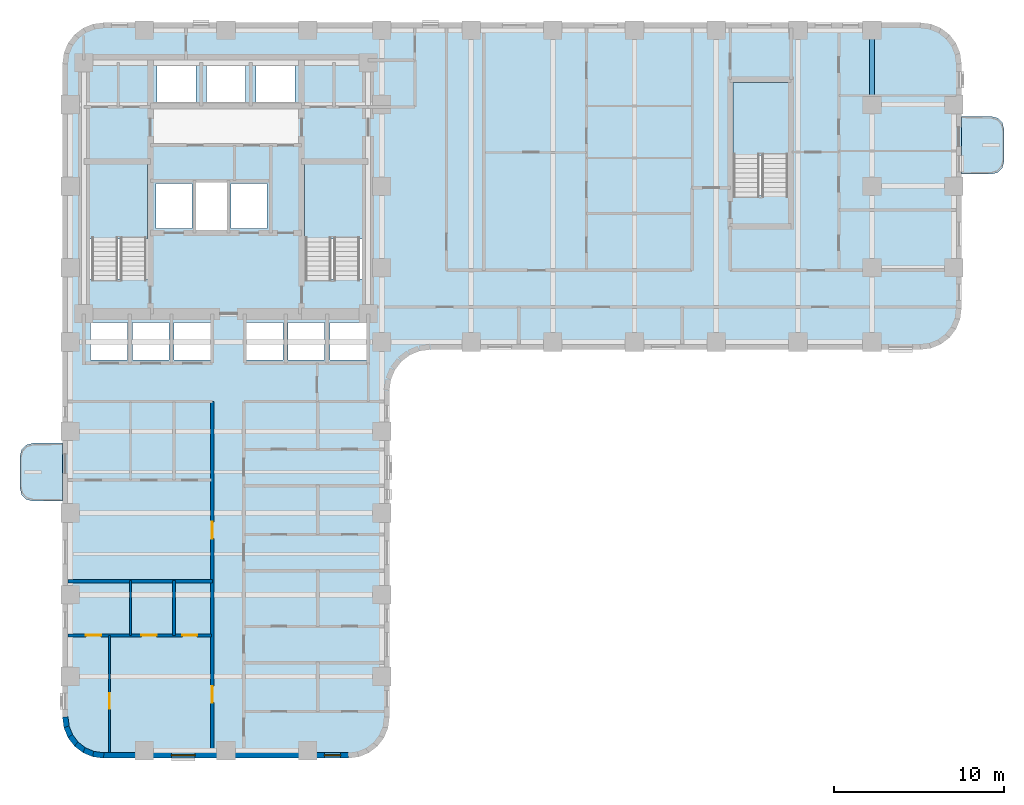
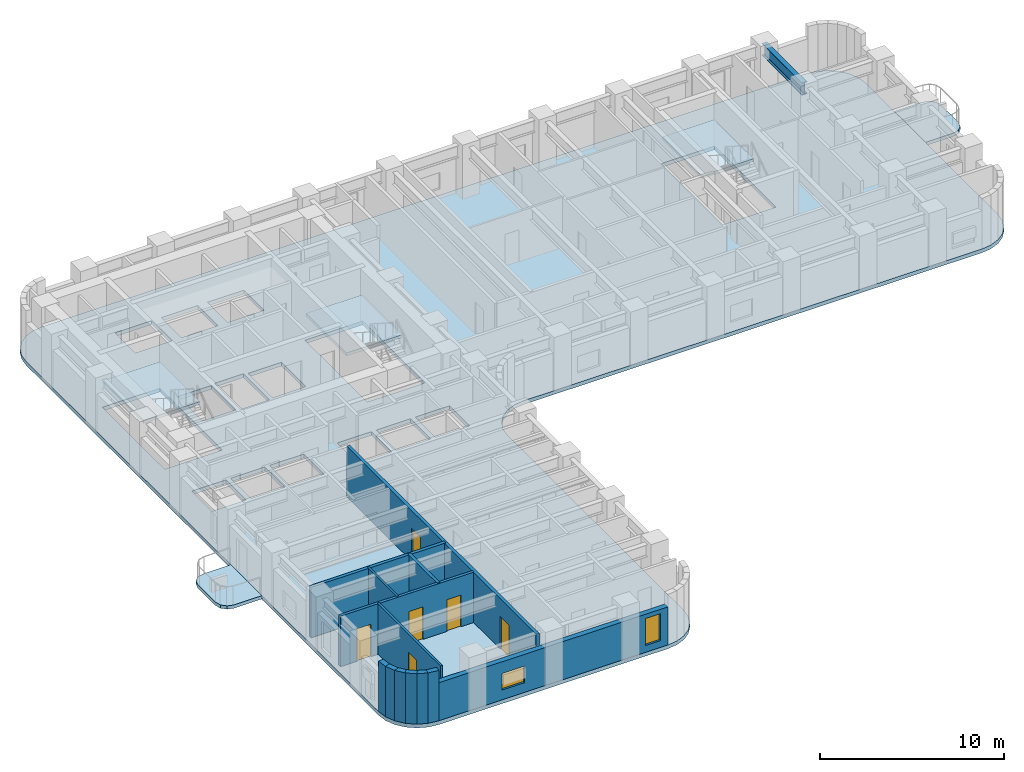
# One storey, part 2 of 12: 13 walls, 6 doors, 6 slabs, 2 windows, 1 beam, 8 openings, 3 elements without a shape of their own.
"""IFC4 building model written with IfcOpenShell, lengths in metres."""

from ifc_helpers import new_model, si_unit, direction, frame, frame_2d, origin, origin_2d, place, context, subcontext, project, spatial, polyline, rectangle, i_section, outline, extrude, material, layer, layer_set, material_profile, profile_set, type_object, element, fill, aggregate, save


model = new_model("IFC4")

# Units and contexts
model_context = context("Model", 3, precision=1e-05, world=origin(), true_north=direction((0.0, 1.0)))
body_context = subcontext(model_context, "Body", "Model", "MODEL_VIEW")
ifc_project = project(units=[si_unit("LENGTHUNIT", "METRE"), si_unit("AREAUNIT", "SQUARE_METRE"), si_unit("VOLUMEUNIT", "CUBIC_METRE"), si_unit("PLANEANGLEUNIT", "RADIAN"), si_unit("MASSUNIT", "GRAM", prefix="KILO")], contexts=[model_context])

# Site, building, storey
site_placement = place(None, origin())
site = spatial("IfcSite", under=ifc_project, at=site_placement, CompositionType="ELEMENT")
building_placement = place(site_placement, origin())
building = spatial("IfcBuilding", under=site, at=building_placement, Name="Orvandelia Arch Residences", CompositionType="ELEMENT")
storey_placement = place(building_placement, frame((0.0, 0.0, 57.39990234375)))
storey = spatial("IfcBuildingStorey", under=building, at=storey_placement, Name="L14", CompositionType="ELEMENT", Elevation=57.39990234375)

# Beam
ifc_material_1 = material(Name="Structural Steel SM355 (355 MPa)", Category="steel")
ifc_material_profile = material_profile(ifc_material_1, i_section(OverallWidth=0.300048828125, OverallDepth=0.800048828125, WebThickness=0.013916015625, FlangeThickness=0.02587890625, FilletRadius=0.02587890625, at=origin_2d()), Name="Structural Steel SM355 (355 MPa)", Category="steel")
ifc_profile_set = profile_set([ifc_material_profile], Name="Structural Steel SM355 (355 MPa)")
beam_type = type_object("IfcBeamType", Name="BM-GRD-H800", PredefinedType="BEAM", material=ifc_profile_set)
beam_placement = place(storey_placement, frame((52.35009765625, 43.199951171875, 2.9501953125), z_axis=(0.0, 1.0, 0.0), x_axis=(-1.0, 0.0, 0.0)))
element("IfcBeam", 1, at=beam_placement, inside=storey, type_object=beam_type, Name="Structural Frame Beam L14-NS-026", PredefinedType="BEAM", context=body_context, shape_type="SweptSolid", body=[
    extrude(i_section(OverallWidth=0.300048828125, OverallDepth=0.800048828125, WebThickness=0.013916015625, FlangeThickness=0.02587890625, FilletRadius=0.02587890625, at=origin_2d()), origin(), (0.0, 0.0, 1.0), 4.35009765625),
])

# Slabs
ifc_material_2 = material(Name="Precast concrete C40/50", Category="concrete")
ifc_layer_1 = layer(ifc_material_2, 0.219970703125, Name="Precast concrete C40/50", Category="concrete")
ifc_layer_set_1 = layer_set([ifc_layer_1], Name="Precast concrete C40/50")
slab_type_1 = type_object("IfcSlabType", Name="SLB-BAL-220", PredefinedType="USERDEFINED", material=ifc_layer_set_1)
slab_1_placement = place(storey_placement, frame((0.0, 0.0, -0.219970703125)))
element("IfcSlab", 2, at=slab_1_placement, inside=storey, type_object=slab_type_1, Name="Tree Balcony Cantilever Slab BAL-L14-W1", ObjectType="BALCONY", PredefinedType="USERDEFINED", context=body_context, shape_type="SweptSolid", body=[
    extrude(outline(polyline([(4.800048828125, 19.89990234375), (4.800048828125, 23.300048828125), (3.050048828125, 23.300048828125), (2.675048828125, 23.199462890625), (2.400390625, 22.925048828125), (2.300048828125, 22.550048828125), (2.300048828125, 20.64990234375), (2.400390625, 20.27490234375), (2.675048828125, 20.00048828125), (3.050048828125, 19.89990234375), (4.800048828125, 19.89990234375)])), origin(), (0.0, 0.0, 1.0), 0.219970703125),
])
slab_2_placement = place(storey_placement, frame((0.0, 0.0, -0.219970703125)))
element("IfcSlab", 3, at=slab_2_placement, inside=storey, type_object=slab_type_1, Name="Tree Balcony Cantilever Slab BAL-L14-E1", ObjectType="BALCONY", PredefinedType="USERDEFINED", context=body_context, shape_type="SweptSolid", body=[
    extrude(outline(polyline([(57.60009765625, 42.5), (57.60009765625, 39.10009765625), (59.35009765625, 39.10009765625), (59.72509765625, 39.200439453125), (59.99951171875, 39.47509765625), (60.10009765625, 39.85009765625), (60.10009765625, 41.75), (59.99951171875, 42.125), (59.72509765625, 42.3994140625), (59.35009765625, 42.5), (57.60009765625, 42.5)])), origin(), (0.0, 0.0, 1.0), 0.219970703125),
])

# Stair, slab
ifc_material_3 = material(Name="Concrete C40/50", Category="concrete")
stair_type = type_object("IfcStairType", Name="STAIR-RC-DOGLEG", PredefinedType="HALF_TURN_STAIR", material=ifc_material_3)
stair_1_placement = place(storey_placement, origin())
stair_1 = element("IfcStair", 4, at=stair_1_placement, inside=storey, type_object=stair_type, Name="L14 Protected Exit Stair ST-1", PredefinedType="HALF_TURN_STAIR")
ifc_layer_2 = layer(ifc_material_3, 0.219970703125, Name="Concrete C40/50", Category="concrete")
ifc_layer_set_2 = layer_set([ifc_layer_2], Name="Concrete C40/50")
slab_type_2 = type_object("IfcSlabType", Name="SLB-LANDING-220", PredefinedType="LANDING", material=ifc_layer_set_2)
slab_3_placement = place(storey_placement, frame((0.0, 0.0, 1.60009765625)))
slab_3 = element("IfcSlab", 5, at=slab_3_placement, type_object=slab_type_2, Name="ST-1 landing 1", PredefinedType="LANDING", context=body_context, shape_type="SweptSolid", body=[
    extrude(outline(polyline([(9.800048828125, 35.31005859375), (9.800048828125, 39.68994140625), (6.260009765625, 39.68994140625), (6.260009765625, 35.31005859375), (9.800048828125, 35.31005859375)])), origin(), (0.0, 0.0, 1.0), 0.199951171875),
])
aggregate(stair_1, [slab_3])

stair_2_placement = place(storey_placement, origin())
stair_2 = element("IfcStair", 6, at=stair_2_placement, inside=storey, type_object=stair_type, Name="L14 Protected Exit Stair ST-2", PredefinedType="HALF_TURN_STAIR")
slab_4_placement = place(storey_placement, frame((0.0, 0.0, 1.60009765625)))
slab_4 = element("IfcSlab", 7, at=slab_4_placement, type_object=slab_type_2, Name="ST-2 landing 1", PredefinedType="LANDING", context=body_context, shape_type="SweptSolid", body=[
    extrude(outline(polyline([(22.5400390625, 35.31005859375), (22.5400390625, 39.68994140625), (19.0, 39.68994140625), (19.0, 35.31005859375), (22.5400390625, 35.31005859375)])), origin(), (0.0, 0.0, 1.0), 0.199951171875),
])
aggregate(stair_2, [slab_4])

stair_3_placement = place(storey_placement, origin())
stair_3 = element("IfcStair", 8, at=stair_3_placement, inside=storey, type_object=stair_type, Name="L14 East Wing Exit Stair ST-3", PredefinedType="HALF_TURN_STAIR")
slab_5_placement = place(storey_placement, frame((0.0, 0.0, 1.60009765625)))
slab_5 = element("IfcSlab", 9, at=slab_5_placement, type_object=slab_type_2, Name="ST-3 landing 1", PredefinedType="LANDING", context=body_context, shape_type="SweptSolid", body=[
    extrude(outline(polyline([(47.43994140625, 40.2099609375), (47.43994140625, 44.5), (44.179931640625, 44.5), (44.179931640625, 40.2099609375), (47.43994140625, 40.2099609375)])), origin(), (0.0, 0.0, 1.0), 0.199951171875),
])
aggregate(stair_3, [slab_5])

# Slab
ifc_layer_3 = layer(ifc_material_3, 0.25, Name="Concrete C40/50", Category="concrete")
ifc_layer_set_3 = layer_set([ifc_layer_3], Name="Concrete C40/50")
slab_type_3 = type_object("IfcSlabType", Name="SLB-TWR-250", PredefinedType="FLOOR", material=ifc_layer_set_3)
slab_6_placement = place(storey_placement, frame((0.0, 0.0, -0.25)))
element("IfcSlab", 10, at=slab_6_placement, inside=storey, type_object=slab_type_3, Name="Structural Floor Slab L14-1", PredefinedType="FLOOR", context=body_context, shape_type="SweptSolid", body=[
    extrude(outline(polyline([(4.800048828125, 7.199951171875), (4.8818359375, 6.578857421875), (5.12158203125, 6.0), (5.5029296875, 5.5029296875), (6.0, 5.12158203125), (6.578857421875, 4.8818359375), (7.199951171875, 4.800048828125), (21.60009765625, 4.800048828125), (22.22119140625, 4.8818359375), (22.800048828125, 5.12158203125), (23.297119140625, 5.5029296875), (23.678466796875, 6.0), (23.918212890625, 6.578857421875), (24.0, 7.199951171875), (24.0, 26.39990234375), (24.081787109375, 27.021240234375), (24.321533203125, 27.60009765625), (24.702880859375, 28.09716796875), (25.199951171875, 28.478515625), (25.77880859375, 28.71826171875), (26.39990234375, 28.800048828125), (55.199951171875, 28.800048828125), (55.8212890625, 28.8818359375), (56.39990234375, 29.12158203125), (56.897216796875, 29.5029296875), (57.278564453125, 30.0), (57.518310546875, 30.578857421875), (57.60009765625, 31.199951171875), (57.60009765625, 45.60009765625), (57.518310546875, 46.22119140625), (57.278564453125, 46.800048828125), (56.897216796875, 47.297119140625), (56.39990234375, 47.678466796875), (55.8212890625, 47.918212890625), (55.199951171875, 48.0), (7.199951171875, 48.0), (6.578857421875, 47.918212890625), (6.0, 47.678466796875), (5.5029296875, 47.297119140625), (5.12158203125, 46.800048828125), (4.8818359375, 46.22119140625), (4.800048828125, 45.60009765625), (4.800048828125, 7.199951171875)]), holes=[polyline([(6.219970703125, 32.949951171875), (9.840087890625, 32.949951171875), (9.840087890625, 39.72998046875), (6.219970703125, 39.72998046875), (6.219970703125, 32.949951171875)]), polyline([(18.9599609375, 32.949951171875), (22.580078125, 32.949951171875), (22.580078125, 39.72998046875), (18.9599609375, 39.72998046875), (18.9599609375, 32.949951171875)]), polyline([(44.139892578125, 37.85009765625), (47.47998046875, 37.85009765625), (47.47998046875, 44.5400390625), (44.139892578125, 44.5400390625), (44.139892578125, 37.85009765625)]), polyline([(12.639892578125, 35.81005859375), (14.4599609375, 35.81005859375), (14.4599609375, 38.639892578125), (12.639892578125, 38.639892578125), (12.639892578125, 35.81005859375)]), polyline([(10.300048828125, 35.89990234375), (12.39990234375, 35.89990234375), (12.39990234375, 38.550048828125), (10.300048828125, 38.550048828125), (10.300048828125, 35.89990234375)]), polyline([(14.699951171875, 35.89990234375), (16.800048828125, 35.89990234375), (16.800048828125, 38.550048828125), (14.699951171875, 38.550048828125), (14.699951171875, 35.89990234375)]), polyline([(10.35009765625, 43.300048828125), (12.64990234375, 43.300048828125), (12.64990234375, 45.5), (10.35009765625, 45.5), (10.35009765625, 43.300048828125)]), polyline([(13.25, 43.300048828125), (15.550048828125, 43.300048828125), (15.550048828125, 45.5), (13.25, 45.5), (13.25, 43.300048828125)]), polyline([(16.14990234375, 43.300048828125), (18.449951171875, 43.300048828125), (18.449951171875, 45.5), (16.14990234375, 45.5), (16.14990234375, 43.300048828125)]), polyline([(6.449951171875, 28.199951171875), (8.60009765625, 28.199951171875), (8.60009765625, 30.39990234375), (6.449951171875, 30.39990234375), (6.449951171875, 28.199951171875)]), polyline([(8.89990234375, 28.199951171875), (11.050048828125, 28.199951171875), (11.050048828125, 30.39990234375), (8.89990234375, 30.39990234375), (8.89990234375, 28.199951171875)]), polyline([(11.35009765625, 28.199951171875), (13.5, 28.199951171875), (13.5, 30.39990234375), (11.35009765625, 30.39990234375), (11.35009765625, 28.199951171875)]), polyline([(15.60009765625, 28.199951171875), (17.75, 28.199951171875), (17.75, 30.39990234375), (15.60009765625, 30.39990234375), (15.60009765625, 28.199951171875)]), polyline([(18.050048828125, 28.199951171875), (20.199951171875, 28.199951171875), (20.199951171875, 30.39990234375), (18.050048828125, 30.39990234375), (18.050048828125, 28.199951171875)]), polyline([(20.5, 28.199951171875), (22.64990234375, 28.199951171875), (22.64990234375, 30.39990234375), (20.5, 30.39990234375), (20.5, 28.199951171875)])]), origin(), (0.0, 0.0, 1.0), 0.25),
])

# Wall, openings, doors
ifc_material_4 = material(Name="Fire-Rated Corridor Partition")
ifc_layer_4 = layer(ifc_material_4, 0.199951171875, Name="Fire-Rated Corridor Partition")
ifc_layer_set_4 = layer_set([ifc_layer_4], Name="Fire-Rated Corridor Partition")
wall_type_1 = type_object("IfcWallType", Name="WL-CORR-200", PredefinedType="PARTITIONING", material=ifc_layer_set_4)
wall_1_placement = place(storey_placement, frame((13.60009765625, 5.1201171875, 0.0), z_axis=(0.0, 0.0, 1.0), x_axis=(0.0, 1.0, 0.0)))
wall_1 = element("IfcWall", 11, at=wall_1_placement, inside=storey, type_object=wall_type_1, Name="Interior Partition Wall WL-L14-WC-W", PredefinedType="PARTITIONING", context=body_context, shape_type="SweptSolid", body=[
    extrude(rectangle(XDim=20.6298828125, YDim=0.199951171875, at=frame_2d((10.31494140625, 0.0))), origin(), (0.0, 0.0, 1.0), 3.35009765625),
])
opening_1_placement = place(wall_1_placement, frame((2.93896484375, 0.0, 0.0)))
opening_1 = element("IfcOpeningElement", 12, at=opening_1_placement, cuts=wall_1, Name="Opening D1", PredefinedType="OPENING", context=body_context, shape_type="SweptSolid", body=[
    extrude(rectangle(XDim=0.97998046875, YDim=2.179931640625, at=frame_2d((0.489990234375, 1.08984375))), frame((0.0, 0.10986328125, 0.0), z_axis=(0.0, -1.0, 0.0), x_axis=(1.0, 0.0, 0.0)), (0.0, 0.0, 1.0), 0.219970703125),
])
opening_2_placement = place(wall_1_placement, frame((12.575927734375, 0.0, 0.0)))
opening_2 = element("IfcOpeningElement", 13, at=opening_2_placement, cuts=wall_1, Name="Opening D1", PredefinedType="OPENING", context=body_context, shape_type="SweptSolid", body=[
    extrude(rectangle(XDim=0.97998046875, YDim=2.179931640625, at=frame_2d((0.489990234375, 1.08984375))), frame((0.0, 0.10986328125, 0.0), z_axis=(0.0, -1.0, 0.0), x_axis=(1.0, 0.0, 0.0)), (0.0, 0.0, 1.0), 0.219970703125),
])
ifc_material_5 = material(Name="Solid-Core Timber Acoustic Fire Door", Category="wood")
door_type_1 = type_object("IfcDoorType", Name="DR-ENT-980", OperationType="NOTDEFINED", PredefinedType="DOOR", material=ifc_material_5)
door_1_placement = place(opening_1_placement, origin())
door_1 = element("IfcDoor", 14, at=door_1_placement, inside=storey, type_object=door_type_1, Name="Unit L14-01 Entrance Door", OperationType="SINGLE_SWING_LEFT", OverallHeight=2.179931640625, OverallWidth=0.97998046875, PredefinedType="DOOR", context=body_context, shape_type="SweptSolid", body=[
    extrude(rectangle(XDim=0.97998046875, YDim=2.179931640625, at=frame_2d((0.489990234375, 1.08984375))), frame((0.0, 0.02490234375, 0.0), z_axis=(0.0, -1.0, 0.0), x_axis=(1.0, 0.0, 0.0)), (0.0, 0.0, 1.0), 0.050048828125),
])
fill(opening_1, door_1)
door_2_placement = place(opening_2_placement, origin())
door_2 = element("IfcDoor", 15, at=door_2_placement, inside=storey, type_object=door_type_1, Name="Unit L14-02 Entrance Door", OperationType="SINGLE_SWING_RIGHT", OverallHeight=2.179931640625, OverallWidth=0.97998046875, PredefinedType="DOOR", context=body_context, shape_type="SweptSolid", body=[
    extrude(rectangle(XDim=0.97998046875, YDim=2.179931640625, at=frame_2d((0.489990234375, 1.08984375))), frame((0.0, 0.02490234375, 0.0), z_axis=(0.0, -1.0, 0.0), x_axis=(1.0, 0.0, 0.0)), (0.0, 0.0, 1.0), 0.050048828125),
])
fill(opening_2, door_2)

# Wall
ifc_layer_5 = layer(ifc_material_3, 0.199951171875, Name="Concrete C40/50", Category="concrete")
ifc_layer_set_5 = layer_set([ifc_layer_5], Name="Concrete C40/50")
wall_type_2 = type_object("IfcWallType", Name="WL-DEM-200", PredefinedType="SOLIDWALL", material=ifc_layer_set_5)
wall_2_placement = place(storey_placement, frame((5.1201171875, 15.199951171875, 0.0), z_axis=(0.0, 0.0, 1.0), x_axis=(1.0, 0.0, 0.0)))
element("IfcWall", 16, at=wall_2_placement, inside=storey, type_object=wall_type_2, Name="Interior Partition Wall WL-L14-DEM-WL-152", PredefinedType="SOLIDWALL", context=body_context, shape_type="SweptSolid", body=[
    extrude(rectangle(XDim=8.47998046875, YDim=0.199951171875, at=frame_2d((4.239990234375, 0.0))), origin(), (0.0, 0.0, 1.0), 3.35009765625),
])

# Wall, openings, windows
ifc_layer_6 = layer(ifc_material_2, 0.320068359375, Name="Precast concrete C40/50", Category="concrete")
ifc_layer_set_6 = layer_set([ifc_layer_6], Name="Precast concrete C40/50")
wall_type_3 = type_object("IfcWallType", Name="WL-EXT-STONE-320", PredefinedType="STANDARD", material=ifc_layer_set_6)
wall_3_placement = place(storey_placement, frame((21.60009765625, 4.9599609375, 0.0), z_axis=(0.0, 0.0, 1.0), x_axis=(-1.0, 0.0, 0.0)))
wall_3 = element("IfcWall", 17, at=wall_3_placement, inside=storey, type_object=wall_type_3, Name="Coral-Limestone Precast Facade Wall L14-035", PredefinedType="STANDARD", context=body_context, shape_type="SweptSolid", body=[
    extrude(rectangle(XDim=14.400146484375, YDim=0.320068359375, at=frame_2d((7.2001953125, 0.0))), origin(), (0.0, 0.0, 1.0), 2.530029296875),
])
opening_3_placement = place(wall_3_placement, frame((0.469970703125, 0.0, 0.449951171875)))
opening_3 = element("IfcOpeningElement", 18, at=opening_3_placement, cuts=wall_3, Name="Opening W4", PredefinedType="OPENING", context=body_context, shape_type="SweptSolid", body=[
    extrude(rectangle(XDim=0.949951171875, YDim=1.800048828125, at=frame_2d((0.47509765625, 0.89990234375))), frame((0.0, 0.169921875, 0.0), z_axis=(0.0, -1.0, 0.0), x_axis=(1.0, 0.0, 0.0)), (0.0, 0.0, 1.0), 0.340087890625),
])
opening_4_placement = place(wall_3_placement, frame((9.014892578125, 0.0, 0.64990234375)))
opening_4 = element("IfcOpeningElement", 19, at=opening_4_placement, cuts=wall_3, Name="Opening W10", PredefinedType="OPENING", context=body_context, shape_type="SweptSolid", body=[
    extrude(rectangle(XDim=1.39990234375, YDim=1.10009765625, at=frame_2d((0.699951171875, 0.550048828125))), frame((0.0, 0.169921875, 0.0), z_axis=(0.0, -1.0, 0.0), x_axis=(1.0, 0.0, 0.0)), (0.0, 0.0, 1.0), 0.340087890625),
])
ifc_material_6 = material(Name="Tempered Low-E Insulated Glazing", Category="glass")
window_type_1 = type_object("IfcWindowType", Name="WIN-CLR-1400x1100", PartitioningType="SINGLE_PANEL", PredefinedType="WINDOW", material=ifc_material_6)
window_1_placement = place(opening_4_placement, origin())
window_1 = element("IfcWindow", 20, at=window_1_placement, inside=storey, type_object=window_type_1, Name="Recessed Punched Window L14-024", OverallHeight=1.10009765625, OverallWidth=1.39990234375, PartitioningType="SINGLE_PANEL", PredefinedType="WINDOW", context=body_context, shape_type="SweptSolid", body=[
    extrude(rectangle(XDim=1.39990234375, YDim=1.10009765625, at=frame_2d((0.699951171875, 0.550048828125))), frame((0.0, 0.030029296875, 0.0), z_axis=(0.0, -1.0, 0.0), x_axis=(1.0, 0.0, 0.0)), (0.0, 0.0, 1.0), 0.06005859375),
])
fill(opening_4, window_1)
window_type_2 = type_object("IfcWindowType", Name="WIN-RES-0950x1800", PartitioningType="SINGLE_PANEL", PredefinedType="WINDOW", material=ifc_material_6)
window_2_placement = place(opening_3_placement, origin())
window_2 = element("IfcWindow", 21, at=window_2_placement, inside=storey, type_object=window_type_2, Name="Recessed Punched Window L14-023", OverallHeight=1.800048828125, OverallWidth=0.949951171875, PartitioningType="SINGLE_PANEL", PredefinedType="WINDOW", context=body_context, shape_type="SweptSolid", body=[
    extrude(rectangle(XDim=0.949951171875, YDim=1.800048828125, at=frame_2d((0.47509765625, 0.89990234375))), frame((0.0, 0.030029296875, 0.0), z_axis=(0.0, -1.0, 0.0), x_axis=(1.0, 0.0, 0.0)), (0.0, 0.0, 1.0), 0.06005859375),
])
fill(opening_3, window_2)

# Walls
wall_4_placement = place(storey_placement, frame((7.220947265625, 4.95849609375, 0.0), z_axis=(0.0, 0.0, 1.0), x_axis=(-0.991447664465, 0.130504898859, 0.0)))
element("IfcWall", 22, at=wall_4_placement, inside=storey, type_object=wall_type_3, Name="Coral-Limestone Precast Facade Wall L14-036", PredefinedType="STANDARD", context=body_context, shape_type="SweptSolid", body=[
    extrude(rectangle(XDim=0.626708984375, YDim=0.320068359375, at=frame_2d((0.3134765625, 0.0))), origin(), (0.0, 0.0, 1.0), 3.35009765625),
])
wall_5_placement = place(storey_placement, frame((6.639892578125, 5.029541015625, 0.0), z_axis=(0.0, 0.0, 1.0), x_axis=(-0.923836271867, 0.382787856107, 0.0)))
element("IfcWall", 23, at=wall_5_placement, inside=storey, type_object=wall_type_3, Name="Coral-Limestone Precast Facade Wall L14-037", PredefinedType="STANDARD", context=body_context, shape_type="SweptSolid", body=[
    extrude(rectangle(XDim=0.626220703125, YDim=0.320068359375, at=frame_2d((0.31298828125, 0.0))), origin(), (0.0, 0.0, 1.0), 3.35009765625),
])
for number, where, z_axis, x_axis, name in (
    (24, (6.097412109375, 5.248291015625, 0.0), (0.0, 0.0, 1.0), (-0.7932174212, 0.608938521285, 0.0), "Coral-Limestone Precast Facade Wall L14-038"),
    (25, (5.6298828125, 5.600341796875, 0.0), (0.0, 0.0, 1.0), (-0.608938521285, 0.7932174212, 0.0), "Coral-Limestone Precast Facade Wall L14-039"),
):
    element("IfcWall", number, at=place(storey_placement, frame(where, z_axis=z_axis, x_axis=x_axis)), inside=storey, type_object=wall_type_3, Name=name, PredefinedType="STANDARD", context=body_context, shape_type="SweptSolid", body=[
        extrude(rectangle(XDim=0.626708984375, YDim=0.320068359375, at=frame_2d((0.3134765625, 0.0))), origin(), (0.0, 0.0, 1.0), 3.35009765625),
    ])
wall_6_placement = place(storey_placement, frame((5.269287109375, 6.061279296875, 0.0), z_axis=(0.0, 0.0, 1.0), x_axis=(-0.382787856107, 0.923836271867, 0.0)))
element("IfcWall", 26, at=wall_6_placement, inside=storey, type_object=wall_type_3, Name="Coral-Limestone Precast Facade Wall L14-040", PredefinedType="STANDARD", context=body_context, shape_type="SweptSolid", body=[
    extrude(rectangle(XDim=0.626220703125, YDim=0.320068359375, at=frame_2d((0.31298828125, 0.0))), origin(), (0.0, 0.0, 1.0), 3.35009765625),
])
wall_7_placement = place(storey_placement, frame((5.040283203125, 6.599609375, 0.0), z_axis=(0.0, 0.0, 1.0), x_axis=(-0.130504898859, 0.991447664465, 0.0)))
element("IfcWall", 27, at=wall_7_placement, inside=storey, type_object=wall_type_3, Name="Coral-Limestone Precast Facade Wall L14-041", PredefinedType="STANDARD", context=body_context, shape_type="SweptSolid", body=[
    extrude(rectangle(XDim=0.626708984375, YDim=0.320068359375, at=frame_2d((0.3134765625, 0.0))), origin(), (0.0, 0.0, 1.0), 3.35009765625),
])
ifc_material_7 = material(Name="Lightweight Gypsum Stud Partition")
ifc_layer_7 = layer(ifc_material_7, 0.1201171875, Name="Lightweight Gypsum Stud Partition")
ifc_layer_set_7 = layer_set([ifc_layer_7], Name="Lightweight Gypsum Stud Partition")
wall_type_4 = type_object("IfcWallType", Name="WL-PART-120", PredefinedType="PARTITIONING", material=ifc_layer_set_7)
wall_8_placement = place(storey_placement, frame((8.791015625, 12.01806640625, 0.0), z_axis=(0.0, 0.0, 1.0), x_axis=(0.0, 1.0, 0.0)))
element("IfcWall", 28, at=wall_8_placement, inside=storey, type_object=wall_type_4, Name="Interior Partition Wall WL-L14-U01-V1", PredefinedType="PARTITIONING", context=body_context, shape_type="SweptSolid", body=[
    extrude(rectangle(XDim=3.221923828125, YDim=0.1201171875, at=frame_2d((1.61083984375, 0.0))), origin(), (0.0, 0.0, 1.0), 3.35009765625),
])

# Wall, opening, door
ifc_material_8 = material(Name="Double-Layer Acoustic Gypsum Partition")
ifc_layer_8 = layer(ifc_material_8, 0.135009765625, Name="Double-Layer Acoustic Gypsum Partition")
ifc_layer_set_8 = layer_set([ifc_layer_8], Name="Double-Layer Acoustic Gypsum Partition")
wall_type_5 = type_object("IfcWallType", Name="WL-PART-135", PredefinedType="PARTITIONING", material=ifc_layer_set_8)
wall_9_placement = place(storey_placement, frame((7.55908203125, 5.1201171875, 0.0), z_axis=(0.0, 0.0, 1.0), x_axis=(0.0, 1.0, 0.0)))
wall_9 = element("IfcWall", 29, at=wall_9_placement, inside=storey, type_object=wall_type_5, Name="Interior Partition Wall WL-L14-U01-DIN", PredefinedType="PARTITIONING", context=body_context, shape_type="SweptSolid", body=[
    extrude(rectangle(XDim=6.89794921875, YDim=0.135009765625, at=frame_2d((3.448974609375, 0.0))), origin(), (0.0, 0.0, 1.0), 3.35009765625),
])
opening_5_placement = place(wall_9_placement, frame((2.59716796875, 0.0, 0.0)))
opening_5 = element("IfcOpeningElement", 30, at=opening_5_placement, cuts=wall_9, Name="Opening D3", PredefinedType="OPENING", context=body_context, shape_type="SweptSolid", body=[
    extrude(rectangle(XDim=0.89990234375, YDim=2.14990234375, at=frame_2d((0.449951171875, 1.074951171875))), frame((0.0, 0.07763671875, 0.0), z_axis=(0.0, -1.0, 0.0), x_axis=(1.0, 0.0, 0.0)), (0.0, 0.0, 1.0), 0.155029296875),
])
ifc_material_9 = material(Name="Engineered Timber Flush Door", Category="wood")
door_type_2 = type_object("IfcDoorType", Name="DR-INT-900", OperationType="NOTDEFINED", PredefinedType="DOOR", material=ifc_material_9)
door_3_placement = place(opening_5_placement, origin())
door_3 = element("IfcDoor", 31, at=door_3_placement, inside=storey, type_object=door_type_2, Name="DR-L14-U01-DIN", OperationType="SINGLE_SWING_RIGHT", OverallHeight=2.14990234375, OverallWidth=0.89990234375, PredefinedType="DOOR", context=body_context, shape_type="SweptSolid", body=[
    extrude(rectangle(XDim=0.89990234375, YDim=2.14990234375, at=frame_2d((0.449951171875, 1.074951171875))), frame((0.0, 0.02490234375, 0.0), z_axis=(0.0, -1.0, 0.0), x_axis=(1.0, 0.0, 0.0)), (0.0, 0.0, 1.0), 0.050048828125),
])
fill(opening_5, door_3)

# Wall, openings, doors
ifc_material_10 = material(Name="Moisture-Resistant Plumbing Wall")
ifc_layer_9 = layer(ifc_material_10, 0.179931640625, Name="Moisture-Resistant Plumbing Wall")
ifc_layer_set_9 = layer_set([ifc_layer_9], Name="Moisture-Resistant Plumbing Wall")
wall_type_6 = type_object("IfcWallType", Name="WL-WET-180", PredefinedType="PLUMBINGWALL", material=ifc_layer_set_9)
wall_10_placement = place(storey_placement, frame((5.1201171875, 12.01806640625, 0.0), z_axis=(0.0, 0.0, 1.0), x_axis=(1.0, 0.0, 0.0)))
wall_10 = element("IfcWall", 32, at=wall_10_placement, inside=storey, type_object=wall_type_6, Name="Interior Partition Wall WL-L14-U01-HZ", PredefinedType="PLUMBINGWALL", context=body_context, shape_type="SweptSolid", body=[
    extrude(rectangle(XDim=8.419921875, YDim=0.179931640625, at=frame_2d((4.2099609375, 0.0))), origin(), (0.0, 0.0, 1.0), 3.35009765625),
])
opening_6_placement = place(wall_10_placement, frame((1.04638671875, 0.0, 0.0)))
opening_6 = element("IfcOpeningElement", 33, at=opening_6_placement, cuts=wall_10, Name="Opening D3", PredefinedType="OPENING", context=body_context, shape_type="SweptSolid", body=[
    extrude(rectangle(XDim=0.89990234375, YDim=2.14990234375, at=frame_2d((0.449951171875, 1.074951171875))), frame((0.0, 0.10009765625, 0.0), z_axis=(0.0, -1.0, 0.0), x_axis=(1.0, 0.0, 0.0)), (0.0, 0.0, 1.0), 0.199951171875),
])
opening_7_placement = place(wall_10_placement, frame((4.307373046875, 0.0, 0.0)))
opening_7 = element("IfcOpeningElement", 34, at=opening_7_placement, cuts=wall_10, Name="Opening D3", PredefinedType="OPENING", context=body_context, shape_type="SweptSolid", body=[
    extrude(rectangle(XDim=0.89990234375, YDim=2.14990234375, at=frame_2d((0.449951171875, 1.074951171875))), frame((0.0, 0.10009765625, 0.0), z_axis=(0.0, -1.0, 0.0), x_axis=(1.0, 0.0, 0.0)), (0.0, 0.0, 1.0), 0.199951171875),
])
opening_8_placement = place(wall_10_placement, frame((6.723388671875, 0.0, 0.0)))
opening_8 = element("IfcOpeningElement", 35, at=opening_8_placement, cuts=wall_10, Name="Opening D4", PredefinedType="OPENING", context=body_context, shape_type="SweptSolid", body=[
    extrude(rectangle(XDim=0.860107421875, YDim=2.10009765625, at=frame_2d((0.43017578125, 1.050048828125))), frame((0.0, 0.10009765625, 0.0), z_axis=(0.0, -1.0, 0.0), x_axis=(1.0, 0.0, 0.0)), (0.0, 0.0, 1.0), 0.199951171875),
])
door_4_placement = place(opening_6_placement, origin())
door_4 = element("IfcDoor", 36, at=door_4_placement, inside=storey, type_object=door_type_2, Name="DR-L14-U01-BD1", OperationType="SINGLE_SWING_LEFT", OverallHeight=2.14990234375, OverallWidth=0.89990234375, PredefinedType="DOOR", context=body_context, shape_type="SweptSolid", body=[
    extrude(rectangle(XDim=0.89990234375, YDim=2.14990234375, at=frame_2d((0.449951171875, 1.074951171875))), frame((0.0, 0.02490234375, 0.0), z_axis=(0.0, -1.0, 0.0), x_axis=(1.0, 0.0, 0.0)), (0.0, 0.0, 1.0), 0.050048828125),
])
fill(opening_6, door_4)
door_5_placement = place(opening_7_placement, origin())
door_5 = element("IfcDoor", 37, at=door_5_placement, inside=storey, type_object=door_type_2, Name="DR-L14-U01-KIT", OperationType="SINGLE_SWING_RIGHT", OverallHeight=2.14990234375, OverallWidth=0.89990234375, PredefinedType="DOOR", context=body_context, shape_type="SweptSolid", body=[
    extrude(rectangle(XDim=0.89990234375, YDim=2.14990234375, at=frame_2d((0.449951171875, 1.074951171875))), frame((0.0, 0.02490234375, 0.0), z_axis=(0.0, -1.0, 0.0), x_axis=(1.0, 0.0, 0.0)), (0.0, 0.0, 1.0), 0.050048828125),
])
fill(opening_7, door_5)
ifc_material_11 = material(Name="Moisture-Sealed Timber Bathroom Door", Category="wood")
door_type_3 = type_object("IfcDoorType", Name="DR-WET-900", OperationType="NOTDEFINED", PredefinedType="DOOR", material=ifc_material_11)
door_6_placement = place(opening_8_placement, origin())
door_6 = element("IfcDoor", 38, at=door_6_placement, inside=storey, type_object=door_type_3, Name="DR-L14-U01-BTH", OperationType="SINGLE_SWING_LEFT", OverallHeight=2.10009765625, OverallWidth=0.860107421875, PredefinedType="DOOR", context=body_context, shape_type="SweptSolid", body=[
    extrude(rectangle(XDim=0.860107421875, YDim=2.10009765625, at=frame_2d((0.43017578125, 1.050048828125))), frame((0.0, 0.02490234375, 0.0), z_axis=(0.0, -1.0, 0.0), x_axis=(1.0, 0.0, 0.0)), (0.0, 0.0, 1.0), 0.050048828125),
])
fill(opening_8, door_6)

# Wall
wall_11_placement = place(storey_placement, frame((11.35498046875, 12.01806640625, 0.0), z_axis=(0.0, 0.0, 1.0), x_axis=(0.0, 1.0, 0.0)))
element("IfcWall", 39, at=wall_11_placement, inside=storey, type_object=wall_type_6, Name="Interior Partition Wall WL-L14-U01-V2", PredefinedType="PLUMBINGWALL", context=body_context, shape_type="SweptSolid", body=[
    extrude(rectangle(XDim=3.221923828125, YDim=0.179931640625, at=frame_2d((1.61083984375, 0.0))), origin(), (0.0, 0.0, 1.0), 3.35009765625),
])

save(model, "model.ifc")
